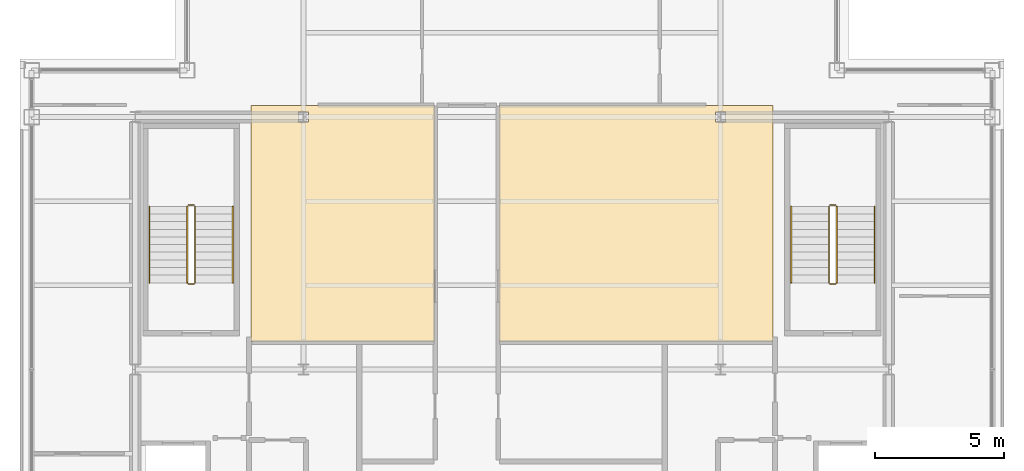
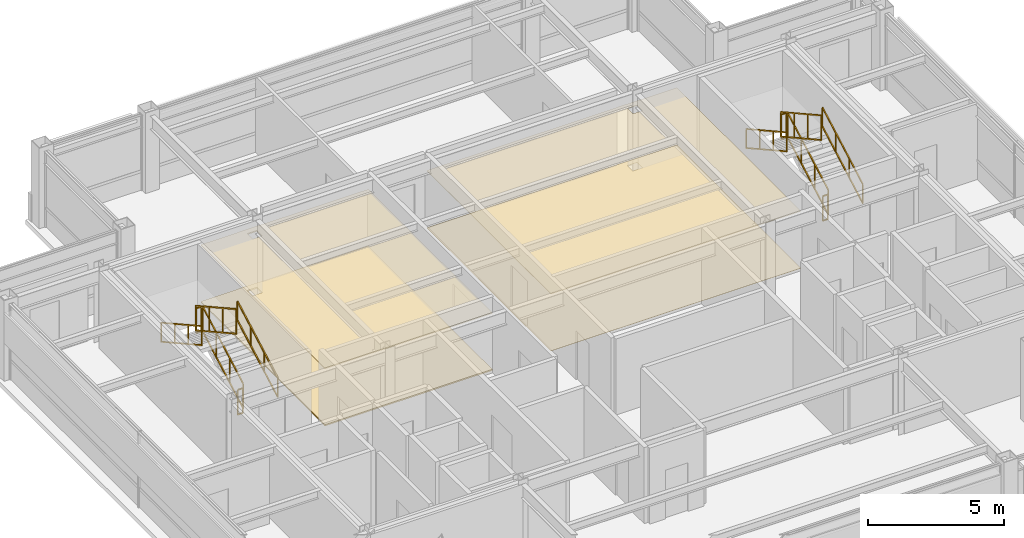
# One storey, part 22 of 22: 12 railings, 4 coverings.
"""IFC4 building model written with IfcOpenShell, lengths in metres."""

import ifcopenshell
import ifcopenshell.guid

model = None  # the IFC model being written
_history = None  # IfcOwnerHistory: only IFC2X3 demands one
_inside = {}  # id of a spatial element -> (the spatial element, [elements in it])
_under = {}  # id of a project, library or spatial element -> (it, [spatial elements below it])
_declared = {}  # id of a project -> (the project, [libraries it declares])
_typed = {}  # id of a type object -> (the type object, [elements of that type])
_made_of = {}  # id of a material, layer set ... -> (it, [elements and type objects made of it])


def new_model(schema):
    """Start an empty IFC model of exactly this schema.

    Asked for "IFC4X3", IfcOpenShell would pick the latest addendum, in which some entities
    have other attributes; the version numbers below select the first issue.
    IFC2X3 requires an IfcOwnerHistory on every rooted entity: one is made here for all.
    """
    global model, _history
    if schema == "IFC4X3":
        model = ifcopenshell.file(schema_version=(4, 3, 0, 0))
    else:
        model = ifcopenshell.file(schema=schema)
    _inside.clear()
    _under.clear()
    _declared.clear()
    _typed.clear()
    _made_of.clear()
    _history = None
    if model.schema == "IFC2X3":
        org = make("IfcOrganization", Name="unknown")
        user = make(
            "IfcPersonAndOrganization",
            ThePerson=make("IfcPerson", FamilyName="unknown"),
            TheOrganization=org,
        )
        app = make(
            "IfcApplication",
            ApplicationDeveloper=org,
            Version="unknown",
            ApplicationFullName="unknown",
            ApplicationIdentifier="unknown",
        )
        _history = make(
            "IfcOwnerHistory",
            OwningUser=user,
            OwningApplication=app,
            ChangeAction="ADDED",
            CreationDate=0,
        )
    return model


def make(cls, **values):
    """One entity of the class cls with the attributes given. An attribute that is None is left unset."""
    return model.create_entity(
        cls, **{name: value for name, value in values.items() if value is not None}
    )


def rooted(cls, **values):
    """An entity with a GlobalId (a new one), such as an element, a storey or a relation."""
    return make(cls, GlobalId=ifcopenshell.guid.new(), OwnerHistory=_history, **values)


def si_unit(unit_type, name, prefix=None):
    """IfcSIUnit, for example si_unit("LENGTHUNIT", "METRE", prefix="MILLI")."""
    return make("IfcSIUnit", UnitType=unit_type, Prefix=prefix, Name=name)


def assignment(units):
    """IfcUnitAssignment: the units of a project."""
    return None if units is None else make("IfcUnitAssignment", Units=units)


def point(xyz):
    """IfcCartesianPoint."""
    return None if xyz is None else make("IfcCartesianPoint", Coordinates=xyz)


def direction(xyz):
    """IfcDirection."""
    return None if xyz is None else make("IfcDirection", DirectionRatios=xyz)


def frame(location, z_axis=None, x_axis=None):
    """IfcAxis2Placement3D, a coordinate frame: its origin and axes. An axis left out is left unset."""
    return make(
        "IfcAxis2Placement3D",
        Location=point(location),
        Axis=direction(z_axis),
        RefDirection=direction(x_axis),
    )


def frame_2d(location, x_axis=None):
    """IfcAxis2Placement2D, a coordinate frame in the plane: its origin and x axis."""
    return make(
        "IfcAxis2Placement2D", Location=point(location), RefDirection=direction(x_axis)
    )


def origin():
    """The frame at (0, 0, 0) with its axes left unset."""
    return frame((0.0, 0.0, 0.0))


def origin_2d():
    """The frame at (0, 0) in the plane with its x axis left unset."""
    return frame_2d((0.0, 0.0))


def place(relative_to, where):
    """IfcLocalPlacement: puts the frame where relative to a parent placement (None: the world)."""
    return make(
        "IfcLocalPlacement", PlacementRelTo=relative_to, RelativePlacement=where
    )


def context(
    kind, dimensions, precision=None, world=None, true_north=None, identifier=None
):
    """IfcGeometricRepresentationContext, for example the 3D "Model" context."""
    return make(
        "IfcGeometricRepresentationContext",
        ContextIdentifier=identifier,
        ContextType=kind,
        CoordinateSpaceDimension=dimensions,
        Precision=precision,
        WorldCoordinateSystem=world,
        TrueNorth=true_north,
    )


def subcontext(parent, identifier, kind, view, scale=None):
    """IfcGeometricRepresentationSubContext, for example "Body" below "Model"."""
    return make(
        "IfcGeometricRepresentationSubContext",
        ContextIdentifier=identifier,
        ContextType=kind,
        ParentContext=parent,
        TargetScale=scale,
        TargetView=view,
    )


def project(units=None, contexts=None):
    """IfcProject with its units and contexts."""
    return rooted(
        "IfcProject",
        Name="project",
        RepresentationContexts=contexts,
        UnitsInContext=assignment(units),
    )


def spatial(cls, under=None, at=None, **own):
    """A site, building, storey or space (cls), placed at a placement, below another one or the project."""
    s = rooted(cls, ObjectPlacement=at, **own)
    if under is not None:
        _under.setdefault(under.id(), (under, []))[1].append(s)
    return s


def polyline(points):
    """IfcPolyline through the points."""
    return make("IfcPolyline", Points=[point(p) for p in points])


def profile(cls, at=None, kind="AREA", **sizes):
    """A parametric profile (cls). Its sizes go by their IFC names, for example OverallWidth=200.0."""
    return make(cls, ProfileType=kind, Position=at, **sizes)


def rectangle(**sizes):
    """IfcRectangleProfileDef."""
    return profile("IfcRectangleProfileDef", **sizes)


def outline(outer, holes=None, kind="AREA"):
    """IfcArbitraryClosedProfileDef: a profile drawn as a closed curve; with holes, ...WithVoids."""
    if holes is None:
        return make("IfcArbitraryClosedProfileDef", ProfileType=kind, OuterCurve=outer)
    return make(
        "IfcArbitraryProfileDefWithVoids",
        ProfileType=kind,
        OuterCurve=outer,
        InnerCurves=holes,
    )


def extrude(swept, where, along, depth):
    """IfcExtrudedAreaSolid: the profile swept, set in the frame where, extruded along a direction by depth."""
    return make(
        "IfcExtrudedAreaSolid",
        SweptArea=swept,
        Position=where,
        ExtrudedDirection=direction(along),
        Depth=depth,
    )


def shape(context_of_items, identifier, shape_type, items):
    """IfcShapeRepresentation: the items that make up one representation, for example the "Body"."""
    return make(
        "IfcShapeRepresentation",
        ContextOfItems=context_of_items,
        RepresentationIdentifier=identifier,
        RepresentationType=shape_type,
        Items=items,
    )


def material(Name=None, Category=None):
    """IfcMaterial."""
    return make("IfcMaterial", Name=Name, Category=Category)


def layer(
    of_material, thickness, ventilated=None, Name=None, Category=None, Priority=None
):
    """IfcMaterialLayer: one layer of a wall or slab, of a material (None: an air gap)."""
    return make(
        "IfcMaterialLayer",
        Material=of_material,
        LayerThickness=thickness,
        IsVentilated=ventilated,
        Name=Name,
        Category=Category,
        Priority=Priority,
    )


def layer_set(layers, Name=None):
    """IfcMaterialLayerSet."""
    return make("IfcMaterialLayerSet", MaterialLayers=layers, LayerSetName=Name)


def made_of(thing, what):
    """Note that an element or type object is made of a material, layer set ...; save() writes the relation."""
    if what is not None:
        _made_of.setdefault(what.id(), (what, []))[1].append(thing)
    return thing


def type_object(cls, material=None, **own):
    """A type object (cls), such as IfcWallType, which elements share."""
    return made_of(rooted(cls, **own), material)


def element(
    cls,
    number,
    at=None,
    inside=None,
    cuts=None,
    type_object=None,
    material=None,
    context=None,
    identifier="Body",
    shape_type=None,
    held_by="IfcProductDefinitionShape",
    body=None,
    shapes=None,
    **own,
):
    """One element of the class cls, such as IfcWall. Its Tag is "e" and its number.

    at: its placement. inside: the storey or other place that contains it. cuts: it is an
    opening in that element (IfcRelVoidsElement). A single representation is given by context,
    identifier, shape_type and body (its items); several are given by shapes. held_by: the class
    of the entity that holds the representations. save() writes the other relations.
    """
    e = rooted(cls, Tag="e%d" % number, ObjectPlacement=at, **own)
    if body is not None:
        shapes = [shape(context, identifier, shape_type, body)]
    if shapes is not None:
        e.Representation = make(held_by, Representations=shapes)
    if inside is not None:
        _inside.setdefault(inside.id(), (inside, []))[1].append(e)
    if cuts is not None:
        rooted(
            "IfcRelVoidsElement", RelatingBuildingElement=cuts, RelatedOpeningElement=e
        )
    if type_object is not None:
        _typed.setdefault(type_object.id(), (type_object, []))[1].append(e)
    return made_of(e, material)


def aggregate(whole, parts):
    """IfcRelAggregates: a whole, such as a stair, and the parts it consists of."""
    return rooted("IfcRelAggregates", RelatingObject=whole, RelatedObjects=parts)


def save(model, path):
    """Write the relations noted so far, then the file.

    IfcRelAggregates (storeys below a building ...), IfcRelContainedInSpatialStructure (elements
    in a storey), IfcRelDefinesByType, IfcRelAssociatesMaterial and IfcRelDeclares: one each for
    every whole, place, type object, material and project.
    """
    for whole, parts in _under.values():
        aggregate(whole, parts)
    for where, things in _inside.values():
        rooted(
            "IfcRelContainedInSpatialStructure",
            RelatedElements=things,
            RelatingStructure=where,
        )
    for kind, things in _typed.values():
        rooted("IfcRelDefinesByType", RelatedObjects=things, RelatingType=kind)
    for what, things in _made_of.values():
        rooted("IfcRelAssociatesMaterial", RelatedObjects=things, RelatingMaterial=what)
    for by, libraries in _declared.values():
        rooted("IfcRelDeclares", RelatingContext=by, RelatedDefinitions=libraries)
    model.write(path)


model = new_model("IFC4")

# Units and contexts
model_context = context("Model", 3, precision=1e-05, world=origin(), true_north=direction((0.0, 1.0)))
body_context = subcontext(model_context, "Body", "Model", "MODEL_VIEW")
ifc_project = project(units=[si_unit("LENGTHUNIT", "METRE"), si_unit("AREAUNIT", "SQUARE_METRE"), si_unit("VOLUMEUNIT", "CUBIC_METRE"), si_unit("PLANEANGLEUNIT", "RADIAN"), si_unit("MASSUNIT", "GRAM", prefix="KILO")], contexts=[model_context])

# Site, building, storey
site_placement = place(None, origin())
site = spatial("IfcSite", under=ifc_project, at=site_placement, CompositionType="ELEMENT")
building_placement = place(site_placement, origin())
building = spatial("IfcBuilding", under=site, at=building_placement, Name="Brelmoor Portico Tower", CompositionType="ELEMENT")
storey_placement = place(building_placement, frame((0.0, 0.0, 280.800048828125)))
storey = spatial("IfcBuildingStorey", under=building, at=storey_placement, Name="L74", CompositionType="ELEMENT", Elevation=280.800048828125)

# Coverings
ifc_material_1 = material(Name="Perforated Mineral-Fibre Acoustic Ceiling Tile", Category="gypsum")
ifc_layer_1 = layer(ifc_material_1, 0.02490234375)
ifc_layer_set_1 = layer_set([ifc_layer_1], Name="Perforated Mineral-Fibre Acoustic Ceiling Tile")
covering_type_1 = type_object("IfcCoveringType", Name="CV-CEIL-GYPSUM-25", PredefinedType="CEILING", material=ifc_layer_set_1)
covering_1_placement = place(storey_placement, frame((0.0, 0.0, 2.550048828125)))
element("IfcCovering", 1, at=covering_1_placement, inside=storey, type_object=covering_type_1, Name="L74 Acoustic Suspended Ceiling 02", PredefinedType="CEILING", context=body_context, shape_type="SweptSolid", body=[
    extrude(outline(polyline([(-0.510009765625, 10.18994140625), (7.60009765625, 10.18994140625), (7.60009765625, 10.199951171875), (8.5, 10.199951171875), (8.5, 10.18994140625), (10.080078125, 10.18994140625), (10.080078125, 1.090087890625), (-0.510009765625, 1.090087890625), (-0.510009765625, 10.18994140625)]), holes=[polyline([(8.25, 9.550048828125), (8.25, 9.949951171875), (7.85009765625, 9.949951171875), (7.85009765625, 9.550048828125), (8.25, 9.550048828125)])]), origin(), (0.0, 0.0, 1.0), 0.02490234375),
])
ifc_material_2 = material(Name="Slatted FSC Oak Acoustic Feature Ceiling", Category="timber")
ifc_layer_2 = layer(ifc_material_2, 0.052001953125)
ifc_layer_set_2 = layer_set([ifc_layer_2], Name="Slatted FSC Oak Acoustic Feature Ceiling")
covering_type_2 = type_object("IfcCoveringType", Name="CV-CEIL-TIMBER-52", PredefinedType="CEILING", material=ifc_layer_set_2)
covering_2_placement = place(storey_placement, frame((0.0, 0.0, 2.550048828125)))
element("IfcCovering", 2, at=covering_2_placement, inside=storey, type_object=covering_type_2, Name="L74 Acoustic Suspended Ceiling 01", PredefinedType="CEILING", context=body_context, shape_type="SweptSolid", body=[
    extrude(outline(polyline([(-10.080078125, 10.18994140625), (-8.5, 10.18994140625), (-8.5, 10.199951171875), (-7.60009765625, 10.199951171875), (-7.60009765625, 10.18994140625), (-2.989990234375, 10.18994140625), (-2.989990234375, 1.090087890625), (-10.080078125, 1.090087890625), (-10.080078125, 10.18994140625)]), holes=[polyline([(-7.85009765625, 9.550048828125), (-7.85009765625, 9.949951171875), (-8.25, 9.949951171875), (-8.25, 9.550048828125), (-7.85009765625, 9.550048828125)])]), origin(), (0.0, 0.0, 1.0), 0.052001953125),
])
ifc_material_3 = material(Name="Calcium-Sulphate Raised Access Floor Panel", Category="steel")
ifc_layer_3 = layer(ifc_material_3, 0.06005859375)
ifc_layer_set_3 = layer_set([ifc_layer_3], Name="Calcium-Sulphate Raised Access Floor Panel")
covering_type_3 = type_object("IfcCoveringType", Name="CV-FLR-ACCESS-60", PredefinedType="FLOORING", material=ifc_layer_set_3)
covering_3_placement = place(storey_placement, origin())
element("IfcCovering", 3, at=covering_3_placement, inside=storey, type_object=covering_type_3, Name="L74 Architectural Floor Finish 01", PredefinedType="FLOORING", context=body_context, shape_type="SweptSolid", body=[
    extrude(outline(polyline([(-10.080078125, 10.18994140625), (-8.5, 10.18994140625), (-8.5, 10.199951171875), (-7.60009765625, 10.199951171875), (-7.60009765625, 10.18994140625), (-2.989990234375, 10.18994140625), (-2.989990234375, 1.090087890625), (-10.080078125, 1.090087890625), (-10.080078125, 10.18994140625)]), holes=[polyline([(-7.85009765625, 9.550048828125), (-7.85009765625, 9.949951171875), (-8.25, 9.949951171875), (-8.25, 9.550048828125), (-7.85009765625, 9.550048828125)])]), origin(), (0.0, 0.0, 1.0), 0.06005859375),
])
ifc_material_4 = material(Name="Solution-Dyed Nylon Acoustic Carpet Tile", Category="textile")
ifc_layer_4 = layer(ifc_material_4, 0.013916015625)
ifc_layer_set_4 = layer_set([ifc_layer_4], Name="Solution-Dyed Nylon Acoustic Carpet Tile")
covering_type_4 = type_object("IfcCoveringType", Name="CV-FLR-CARPET-14", PredefinedType="FLOORING", material=ifc_layer_set_4)
covering_4_placement = place(storey_placement, origin())
element("IfcCovering", 4, at=covering_4_placement, inside=storey, type_object=covering_type_4, Name="L74 Architectural Floor Finish 02", PredefinedType="FLOORING", context=body_context, shape_type="SweptSolid", body=[
    extrude(outline(polyline([(-0.510009765625, 10.18994140625), (7.60009765625, 10.18994140625), (7.60009765625, 10.199951171875), (8.5, 10.199951171875), (8.5, 10.18994140625), (10.080078125, 10.18994140625), (10.080078125, 1.090087890625), (-0.510009765625, 1.090087890625), (-0.510009765625, 10.18994140625)]), holes=[polyline([(8.25, 9.550048828125), (8.25, 9.949951171875), (7.85009765625, 9.949951171875), (7.85009765625, 9.550048828125), (8.25, 9.550048828125)])]), origin(), (0.0, 0.0, 1.0), 0.013916015625),
])

# Railings
ifc_material_5 = material(Name="Painted Tubular Steel Q235B", Category="steel")
railing_type_1 = type_object("IfcRailingType", Name="RL-STAIR-GUARD", PredefinedType="GUARDRAIL", material=ifc_material_5)
railing_1_placement = place(storey_placement, frame((-12.239990234375, 3.35009765625, 0.16357421875)))
element("IfcRailing", 5, at=railing_1_placement, inside=storey, type_object=railing_type_1, Name="L74 ST-W stair guard 1", PredefinedType="GUARDRAIL", context=body_context, shape_type="SweptSolid", body=[
    extrude(rectangle(XDim=0.048095703125, YDim=0.048095703125, at=origin_2d()), frame((0.0, 0.0, 1.1259765625), z_axis=(0.0, 0.874457516365, 0.485102104791), x_axis=(-1.0, 0.0, 0.0)), (0.0, 0.0, 1.0), 3.37353515625),
    extrude(rectangle(XDim=0.048095703125, YDim=0.048095703125, at=origin_2d()), frame((0.0, 0.0, 0.02392578125), z_axis=(0.0, 0.874457516365, 0.485102104791), x_axis=(-1.0, 0.0, 0.0)), (0.0, 0.0, 1.0), 3.37353515625),
    extrude(rectangle(XDim=0.0419921875, YDim=0.0419921875, at=origin_2d()), origin(), (0.0, 0.0, 1.0), 1.101806640625),
    extrude(rectangle(XDim=0.0419921875, YDim=0.0419921875, at=origin_2d()), frame((0.0, 0.9833984375, 0.54541015625)), (0.0, 0.0, 1.0), 1.101806640625),
    extrude(rectangle(XDim=0.0419921875, YDim=0.0419921875, at=origin_2d()), frame((0.0, 1.966552734375, 1.091064453125)), (0.0, 0.0, 1.0), 1.101806640625),
    extrude(rectangle(XDim=0.0419921875, YDim=0.0419921875, at=origin_2d()), frame((0.0, 2.949951171875, 1.636474609375)), (0.0, 0.0, 1.0), 1.101806640625),
])
railing_2_placement = place(storey_placement, frame((-12.2900390625, 6.35009765625, 1.800048828125)))
element("IfcRailing", 6, at=railing_2_placement, inside=storey, type_object=railing_type_1, Name="L74 ST-W stair guard 2", PredefinedType="GUARDRAIL", context=body_context, shape_type="SweptSolid", body=[
    extrude(rectangle(XDim=0.048095703125, YDim=0.048095703125, at=origin_2d()), frame((0.0, 0.0, 1.1259765625), z_axis=(-1.0, 0.0, 0.0), x_axis=(0.0, -1.0, 0.0)), (0.0, 0.0, 1.0), 0.199951171875),
    extrude(rectangle(XDim=0.048095703125, YDim=0.048095703125, at=origin_2d()), frame((0.0, 0.0, 0.02392578125), z_axis=(-1.0, 0.0, 0.0), x_axis=(0.0, -1.0, 0.0)), (0.0, 0.0, 1.0), 0.199951171875),
    extrude(rectangle(XDim=0.0419921875, YDim=0.0419921875, at=origin_2d()), origin(), (0.0, 0.0, 1.0), 1.101806640625),
    extrude(rectangle(XDim=0.0419921875, YDim=0.0419921875, at=origin_2d()), frame((-0.199951171875, 0.0, 0.0)), (0.0, 0.0, 1.0), 1.101806640625),
])
railing_3_placement = place(storey_placement, frame((-12.5400390625, 6.300048828125, 1.963623046875)))
element("IfcRailing", 7, at=railing_3_placement, inside=storey, type_object=railing_type_1, Name="L74 ST-W stair guard 3", PredefinedType="GUARDRAIL", context=body_context, shape_type="SweptSolid", body=[
    extrude(rectangle(XDim=0.048095703125, YDim=0.048095703125, at=origin_2d()), frame((0.0, 0.0, 1.1259765625), z_axis=(0.0, -0.87448821551, 0.485046761595), x_axis=(1.0, 0.0, 0.0)), (0.0, 0.0, 1.0), 3.373291015625),
    extrude(rectangle(XDim=0.048095703125, YDim=0.048095703125, at=origin_2d()), frame((0.0, 0.0, 0.02392578125), z_axis=(0.0, -0.87448821551, 0.485046761595), x_axis=(1.0, 0.0, 0.0)), (0.0, 0.0, 1.0), 3.373291015625),
    extrude(rectangle(XDim=0.0419921875, YDim=0.0419921875, at=origin_2d()), origin(), (0.0, 0.0, 1.0), 1.101806640625),
    extrude(rectangle(XDim=0.0419921875, YDim=0.0419921875, at=origin_2d()), frame((0.0, -0.9833984375, 0.54541015625)), (0.0, 0.0, 1.0), 1.101806640625),
    extrude(rectangle(XDim=0.0419921875, YDim=0.0419921875, at=origin_2d()), frame((0.0, -1.966552734375, 1.0908203125)), (0.0, 0.0, 1.0), 1.101806640625),
    extrude(rectangle(XDim=0.0419921875, YDim=0.0419921875, at=origin_2d()), frame((0.0, -2.949951171875, 1.63623046875)), (0.0, 0.0, 1.0), 1.101806640625),
])
railing_4_placement = place(storey_placement, frame((-12.2900390625, 3.300048828125, 0.0)))
element("IfcRailing", 8, at=railing_4_placement, inside=storey, type_object=railing_type_1, Name="L74 ST-W stair guard 4", PredefinedType="GUARDRAIL", context=body_context, shape_type="SweptSolid", body=[
    extrude(rectangle(XDim=0.048095703125, YDim=0.048095703125, at=origin_2d()), frame((0.0, 0.0, 1.1259765625), z_axis=(-1.0, 0.0, 0.0), x_axis=(0.0, -1.0, 0.0)), (0.0, 0.0, 1.0), 0.199951171875),
    extrude(rectangle(XDim=0.048095703125, YDim=0.048095703125, at=origin_2d()), frame((0.0, 0.0, 0.02392578125), z_axis=(-1.0, 0.0, 0.0), x_axis=(0.0, -1.0, 0.0)), (0.0, 0.0, 1.0), 0.199951171875),
    extrude(rectangle(XDim=0.0419921875, YDim=0.0419921875, at=origin_2d()), origin(), (0.0, 0.0, 1.0), 1.101806640625),
    extrude(rectangle(XDim=0.0419921875, YDim=0.0419921875, at=origin_2d()), frame((-0.199951171875, 0.0, 0.0)), (0.0, 0.0, 1.0), 1.101806640625),
])
railing_5_placement = place(storey_placement, frame((12.5400390625, 3.35009765625, 0.16357421875)))
element("IfcRailing", 9, at=railing_5_placement, inside=storey, type_object=railing_type_1, Name="L74 ST-E stair guard 1", PredefinedType="GUARDRAIL", context=body_context, shape_type="SweptSolid", body=[
    extrude(rectangle(XDim=0.048095703125, YDim=0.048095703125, at=origin_2d()), frame((0.0, 0.0, 1.1259765625), z_axis=(0.0, 0.874457516365, 0.485102104791), x_axis=(-1.0, 0.0, 0.0)), (0.0, 0.0, 1.0), 3.37353515625),
    extrude(rectangle(XDim=0.048095703125, YDim=0.048095703125, at=origin_2d()), frame((0.0, 0.0, 0.02392578125), z_axis=(0.0, 0.874457516365, 0.485102104791), x_axis=(-1.0, 0.0, 0.0)), (0.0, 0.0, 1.0), 3.37353515625),
    extrude(rectangle(XDim=0.0419921875, YDim=0.0419921875, at=origin_2d()), origin(), (0.0, 0.0, 1.0), 1.101806640625),
    extrude(rectangle(XDim=0.0419921875, YDim=0.0419921875, at=origin_2d()), frame((0.0, 0.9833984375, 0.54541015625)), (0.0, 0.0, 1.0), 1.101806640625),
    extrude(rectangle(XDim=0.0419921875, YDim=0.0419921875, at=origin_2d()), frame((0.0, 1.966552734375, 1.091064453125)), (0.0, 0.0, 1.0), 1.101806640625),
    extrude(rectangle(XDim=0.0419921875, YDim=0.0419921875, at=origin_2d()), frame((0.0, 2.949951171875, 1.636474609375)), (0.0, 0.0, 1.0), 1.101806640625),
])
railing_6_placement = place(storey_placement, frame((12.489990234375, 6.35009765625, 1.800048828125)))
element("IfcRailing", 10, at=railing_6_placement, inside=storey, type_object=railing_type_1, Name="L74 ST-E stair guard 2", PredefinedType="GUARDRAIL", context=body_context, shape_type="SweptSolid", body=[
    extrude(rectangle(XDim=0.048095703125, YDim=0.048095703125, at=origin_2d()), frame((0.0, 0.0, 1.1259765625), z_axis=(-1.0, 0.0, 0.0), x_axis=(0.0, -1.0, 0.0)), (0.0, 0.0, 1.0), 0.199951171875),
    extrude(rectangle(XDim=0.048095703125, YDim=0.048095703125, at=origin_2d()), frame((0.0, 0.0, 0.02392578125), z_axis=(-1.0, 0.0, 0.0), x_axis=(0.0, -1.0, 0.0)), (0.0, 0.0, 1.0), 0.199951171875),
    extrude(rectangle(XDim=0.0419921875, YDim=0.0419921875, at=origin_2d()), origin(), (0.0, 0.0, 1.0), 1.101806640625),
    extrude(rectangle(XDim=0.0419921875, YDim=0.0419921875, at=origin_2d()), frame((-0.199951171875, 0.0, 0.0)), (0.0, 0.0, 1.0), 1.101806640625),
])
railing_7_placement = place(storey_placement, frame((12.239990234375, 6.300048828125, 1.963623046875)))
element("IfcRailing", 11, at=railing_7_placement, inside=storey, type_object=railing_type_1, Name="L74 ST-E stair guard 3", PredefinedType="GUARDRAIL", context=body_context, shape_type="SweptSolid", body=[
    extrude(rectangle(XDim=0.048095703125, YDim=0.048095703125, at=origin_2d()), frame((0.0, 0.0, 1.1259765625), z_axis=(0.0, -0.87448821551, 0.485046761595), x_axis=(1.0, 0.0, 0.0)), (0.0, 0.0, 1.0), 3.373291015625),
    extrude(rectangle(XDim=0.048095703125, YDim=0.048095703125, at=origin_2d()), frame((0.0, 0.0, 0.02392578125), z_axis=(0.0, -0.87448821551, 0.485046761595), x_axis=(1.0, 0.0, 0.0)), (0.0, 0.0, 1.0), 3.373291015625),
    extrude(rectangle(XDim=0.0419921875, YDim=0.0419921875, at=origin_2d()), origin(), (0.0, 0.0, 1.0), 1.101806640625),
    extrude(rectangle(XDim=0.0419921875, YDim=0.0419921875, at=origin_2d()), frame((0.0, -0.9833984375, 0.54541015625)), (0.0, 0.0, 1.0), 1.101806640625),
    extrude(rectangle(XDim=0.0419921875, YDim=0.0419921875, at=origin_2d()), frame((0.0, -1.966552734375, 1.0908203125)), (0.0, 0.0, 1.0), 1.101806640625),
    extrude(rectangle(XDim=0.0419921875, YDim=0.0419921875, at=origin_2d()), frame((0.0, -2.949951171875, 1.63623046875)), (0.0, 0.0, 1.0), 1.101806640625),
])
railing_8_placement = place(storey_placement, frame((12.489990234375, 3.300048828125, 0.0)))
element("IfcRailing", 12, at=railing_8_placement, inside=storey, type_object=railing_type_1, Name="L74 ST-E stair guard 4", PredefinedType="GUARDRAIL", context=body_context, shape_type="SweptSolid", body=[
    extrude(rectangle(XDim=0.048095703125, YDim=0.048095703125, at=origin_2d()), frame((0.0, 0.0, 1.1259765625), z_axis=(-1.0, 0.0, 0.0), x_axis=(0.0, -1.0, 0.0)), (0.0, 0.0, 1.0), 0.199951171875),
    extrude(rectangle(XDim=0.048095703125, YDim=0.048095703125, at=origin_2d()), frame((0.0, 0.0, 0.02392578125), z_axis=(-1.0, 0.0, 0.0), x_axis=(0.0, -1.0, 0.0)), (0.0, 0.0, 1.0), 0.199951171875),
    extrude(rectangle(XDim=0.0419921875, YDim=0.0419921875, at=origin_2d()), origin(), (0.0, 0.0, 1.0), 1.101806640625),
    extrude(rectangle(XDim=0.0419921875, YDim=0.0419921875, at=origin_2d()), frame((-0.199951171875, 0.0, 0.0)), (0.0, 0.0, 1.0), 1.101806640625),
])
ifc_material_6 = material(Name="Brushed Stainless Steel 304", Category="steel")
railing_type_2 = type_object("IfcRailingType", Name="RL-STAIR-HANDRAIL", PredefinedType="HANDRAIL", material=ifc_material_6)
railing_9_placement = place(storey_placement, frame((-10.780029296875, 3.35009765625, 0.16357421875)))
element("IfcRailing", 13, at=railing_9_placement, inside=storey, type_object=railing_type_2, Name="L74 ST-W stair handrail 1", PredefinedType="HANDRAIL", context=body_context, shape_type="SweptSolid", body=[
    extrude(rectangle(XDim=0.048095703125, YDim=0.048095703125, at=origin_2d()), frame((0.0, 0.0, 0.8759765625), z_axis=(0.0, 0.874457516365, 0.485102104791), x_axis=(-1.0, 0.0, 0.0)), (0.0, 0.0, 1.0), 3.37353515625),
    extrude(rectangle(XDim=0.048095703125, YDim=0.048095703125, at=origin_2d()), frame((0.0, 0.0, 0.02392578125), z_axis=(0.0, 0.874457516365, 0.485102104791), x_axis=(-1.0, 0.0, 0.0)), (0.0, 0.0, 1.0), 3.37353515625),
    extrude(rectangle(XDim=0.0419921875, YDim=0.0419921875, at=origin_2d()), origin(), (0.0, 0.0, 1.0), 0.851806640625),
    extrude(rectangle(XDim=0.0419921875, YDim=0.0419921875, at=origin_2d()), frame((0.0, 0.9833984375, 0.54541015625)), (0.0, 0.0, 1.0), 0.851806640625),
    extrude(rectangle(XDim=0.0419921875, YDim=0.0419921875, at=origin_2d()), frame((0.0, 1.966552734375, 1.091064453125)), (0.0, 0.0, 1.0), 0.851806640625),
    extrude(rectangle(XDim=0.0419921875, YDim=0.0419921875, at=origin_2d()), frame((0.0, 2.949951171875, 1.636474609375)), (0.0, 0.0, 1.0), 0.851806640625),
])
railing_10_placement = place(storey_placement, frame((-14.0, 6.300048828125, 1.963623046875)))
element("IfcRailing", 14, at=railing_10_placement, inside=storey, type_object=railing_type_2, Name="L74 ST-W stair handrail 2", PredefinedType="HANDRAIL", context=body_context, shape_type="SweptSolid", body=[
    extrude(rectangle(XDim=0.048095703125, YDim=0.048095703125, at=origin_2d()), frame((0.0, 0.0, 0.8759765625), z_axis=(0.0, -0.87448821551, 0.485046761595), x_axis=(1.0, 0.0, 0.0)), (0.0, 0.0, 1.0), 3.373291015625),
    extrude(rectangle(XDim=0.048095703125, YDim=0.048095703125, at=origin_2d()), frame((0.0, 0.0, 0.02392578125), z_axis=(0.0, -0.87448821551, 0.485046761595), x_axis=(1.0, 0.0, 0.0)), (0.0, 0.0, 1.0), 3.373291015625),
    extrude(rectangle(XDim=0.0419921875, YDim=0.0419921875, at=origin_2d()), origin(), (0.0, 0.0, 1.0), 0.851806640625),
    extrude(rectangle(XDim=0.0419921875, YDim=0.0419921875, at=origin_2d()), frame((0.0, -0.9833984375, 0.54541015625)), (0.0, 0.0, 1.0), 0.851806640625),
    extrude(rectangle(XDim=0.0419921875, YDim=0.0419921875, at=origin_2d()), frame((0.0, -1.966552734375, 1.0908203125)), (0.0, 0.0, 1.0), 0.851806640625),
    extrude(rectangle(XDim=0.0419921875, YDim=0.0419921875, at=origin_2d()), frame((0.0, -2.949951171875, 1.63623046875)), (0.0, 0.0, 1.0), 0.851806640625),
])
railing_11_placement = place(storey_placement, frame((14.0, 3.35009765625, 0.16357421875)))
element("IfcRailing", 15, at=railing_11_placement, inside=storey, type_object=railing_type_2, Name="L74 ST-E stair handrail 1", PredefinedType="HANDRAIL", context=body_context, shape_type="SweptSolid", body=[
    extrude(rectangle(XDim=0.048095703125, YDim=0.048095703125, at=origin_2d()), frame((0.0, 0.0, 0.8759765625), z_axis=(0.0, 0.874457516365, 0.485102104791), x_axis=(-1.0, 0.0, 0.0)), (0.0, 0.0, 1.0), 3.37353515625),
    extrude(rectangle(XDim=0.048095703125, YDim=0.048095703125, at=origin_2d()), frame((0.0, 0.0, 0.02392578125), z_axis=(0.0, 0.874457516365, 0.485102104791), x_axis=(-1.0, 0.0, 0.0)), (0.0, 0.0, 1.0), 3.37353515625),
    extrude(rectangle(XDim=0.0419921875, YDim=0.0419921875, at=origin_2d()), origin(), (0.0, 0.0, 1.0), 0.851806640625),
    extrude(rectangle(XDim=0.0419921875, YDim=0.0419921875, at=origin_2d()), frame((0.0, 0.9833984375, 0.54541015625)), (0.0, 0.0, 1.0), 0.851806640625),
    extrude(rectangle(XDim=0.0419921875, YDim=0.0419921875, at=origin_2d()), frame((0.0, 1.966552734375, 1.091064453125)), (0.0, 0.0, 1.0), 0.851806640625),
    extrude(rectangle(XDim=0.0419921875, YDim=0.0419921875, at=origin_2d()), frame((0.0, 2.949951171875, 1.636474609375)), (0.0, 0.0, 1.0), 0.851806640625),
])
railing_12_placement = place(storey_placement, frame((10.780029296875, 6.300048828125, 1.963623046875)))
element("IfcRailing", 16, at=railing_12_placement, inside=storey, type_object=railing_type_2, Name="L74 ST-E stair handrail 2", PredefinedType="HANDRAIL", context=body_context, shape_type="SweptSolid", body=[
    extrude(rectangle(XDim=0.048095703125, YDim=0.048095703125, at=origin_2d()), frame((0.0, 0.0, 0.8759765625), z_axis=(0.0, -0.87448821551, 0.485046761595), x_axis=(1.0, 0.0, 0.0)), (0.0, 0.0, 1.0), 3.373291015625),
    extrude(rectangle(XDim=0.048095703125, YDim=0.048095703125, at=origin_2d()), frame((0.0, 0.0, 0.02392578125), z_axis=(0.0, -0.87448821551, 0.485046761595), x_axis=(1.0, 0.0, 0.0)), (0.0, 0.0, 1.0), 3.373291015625),
    extrude(rectangle(XDim=0.0419921875, YDim=0.0419921875, at=origin_2d()), origin(), (0.0, 0.0, 1.0), 0.851806640625),
    extrude(rectangle(XDim=0.0419921875, YDim=0.0419921875, at=origin_2d()), frame((0.0, -0.9833984375, 0.54541015625)), (0.0, 0.0, 1.0), 0.851806640625),
    extrude(rectangle(XDim=0.0419921875, YDim=0.0419921875, at=origin_2d()), frame((0.0, -1.966552734375, 1.0908203125)), (0.0, 0.0, 1.0), 0.851806640625),
    extrude(rectangle(XDim=0.0419921875, YDim=0.0419921875, at=origin_2d()), frame((0.0, -2.949951171875, 1.63623046875)), (0.0, 0.0, 1.0), 0.851806640625),
])

save(model, "model.ifc")
